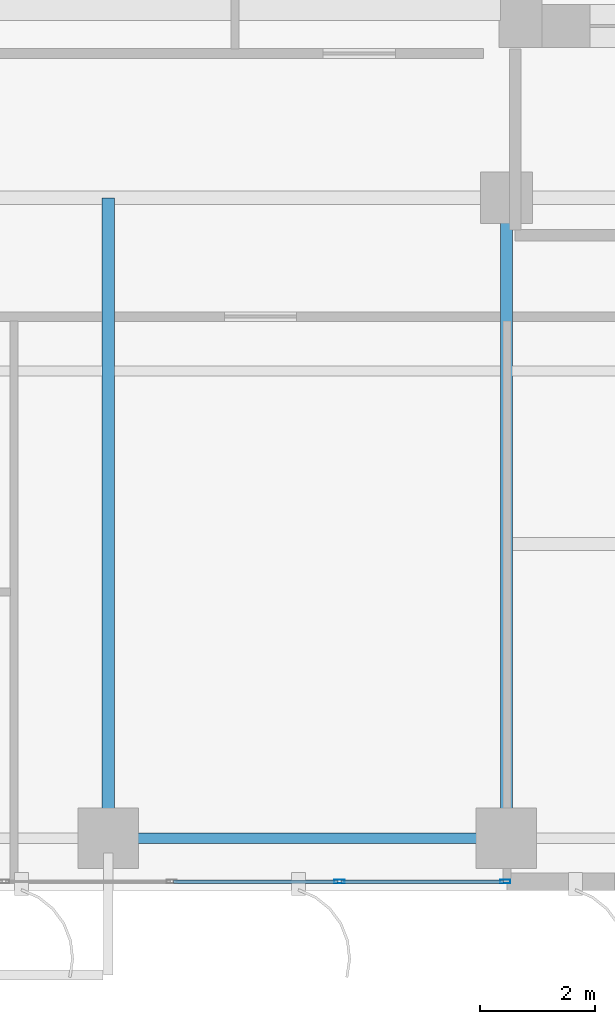
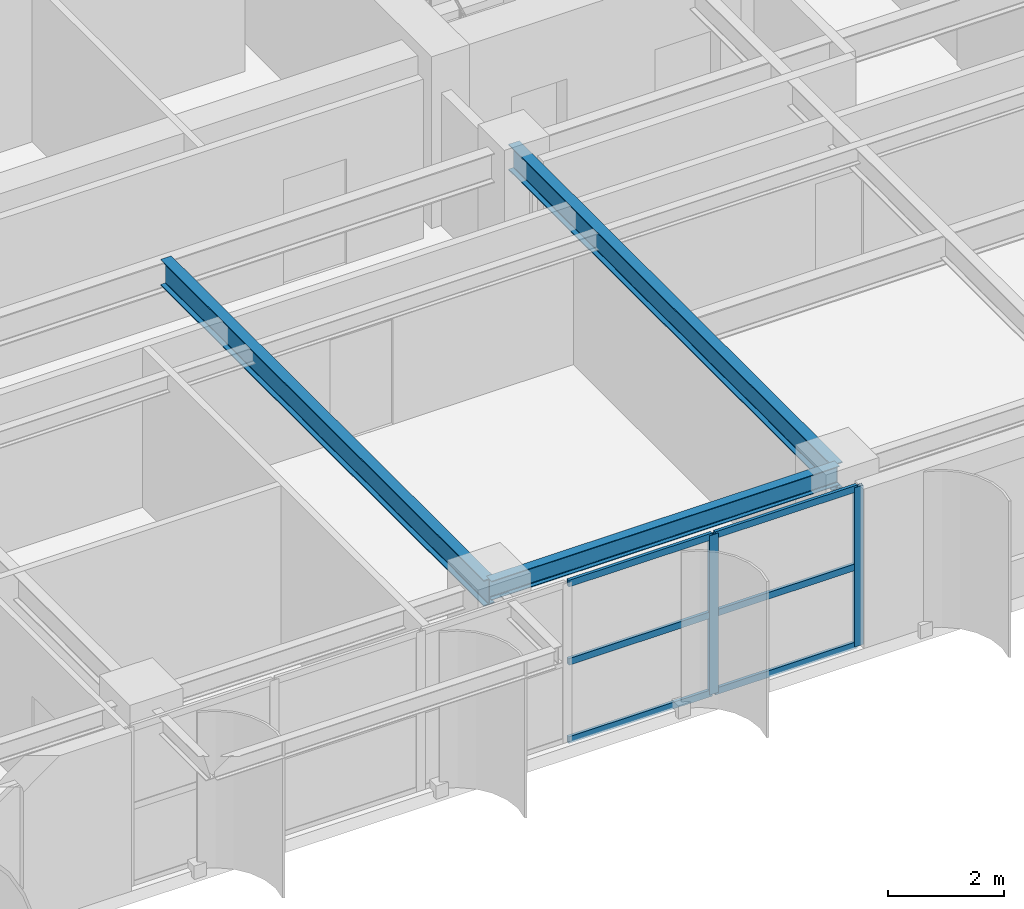
# One storey, part 3 of 23: 8 members, 3 beams, 1 element without a shape of its own.
"""IFC4 building model written with IfcOpenShell, lengths in metres."""

import ifcopenshell
import ifcopenshell.guid

model = None  # the IFC model being written
_history = None  # IfcOwnerHistory: only IFC2X3 demands one
_inside = {}  # id of a spatial element -> (the spatial element, [elements in it])
_under = {}  # id of a project, library or spatial element -> (it, [spatial elements below it])
_declared = {}  # id of a project -> (the project, [libraries it declares])
_typed = {}  # id of a type object -> (the type object, [elements of that type])
_made_of = {}  # id of a material, layer set ... -> (it, [elements and type objects made of it])


def new_model(schema):
    """Start an empty IFC model of exactly this schema.

    Asked for "IFC4X3", IfcOpenShell would pick the latest addendum, in which some entities
    have other attributes; the version numbers below select the first issue.
    IFC2X3 requires an IfcOwnerHistory on every rooted entity: one is made here for all.
    """
    global model, _history
    if schema == "IFC4X3":
        model = ifcopenshell.file(schema_version=(4, 3, 0, 0))
    else:
        model = ifcopenshell.file(schema=schema)
    _inside.clear()
    _under.clear()
    _declared.clear()
    _typed.clear()
    _made_of.clear()
    _history = None
    if model.schema == "IFC2X3":
        org = make("IfcOrganization", Name="unknown")
        user = make(
            "IfcPersonAndOrganization",
            ThePerson=make("IfcPerson", FamilyName="unknown"),
            TheOrganization=org,
        )
        app = make(
            "IfcApplication",
            ApplicationDeveloper=org,
            Version="unknown",
            ApplicationFullName="unknown",
            ApplicationIdentifier="unknown",
        )
        _history = make(
            "IfcOwnerHistory",
            OwningUser=user,
            OwningApplication=app,
            ChangeAction="ADDED",
            CreationDate=0,
        )
    return model


def make(cls, **values):
    """One entity of the class cls with the attributes given. An attribute that is None is left unset."""
    return model.create_entity(
        cls, **{name: value for name, value in values.items() if value is not None}
    )


def rooted(cls, **values):
    """An entity with a GlobalId (a new one), such as an element, a storey or a relation."""
    return make(cls, GlobalId=ifcopenshell.guid.new(), OwnerHistory=_history, **values)


def si_unit(unit_type, name, prefix=None):
    """IfcSIUnit, for example si_unit("LENGTHUNIT", "METRE", prefix="MILLI")."""
    return make("IfcSIUnit", UnitType=unit_type, Prefix=prefix, Name=name)


def assignment(units):
    """IfcUnitAssignment: the units of a project."""
    return None if units is None else make("IfcUnitAssignment", Units=units)


def point(xyz):
    """IfcCartesianPoint."""
    return None if xyz is None else make("IfcCartesianPoint", Coordinates=xyz)


def direction(xyz):
    """IfcDirection."""
    return None if xyz is None else make("IfcDirection", DirectionRatios=xyz)


def frame(location, z_axis=None, x_axis=None):
    """IfcAxis2Placement3D, a coordinate frame: its origin and axes. An axis left out is left unset."""
    return make(
        "IfcAxis2Placement3D",
        Location=point(location),
        Axis=direction(z_axis),
        RefDirection=direction(x_axis),
    )


def frame_2d(location, x_axis=None):
    """IfcAxis2Placement2D, a coordinate frame in the plane: its origin and x axis."""
    return make(
        "IfcAxis2Placement2D", Location=point(location), RefDirection=direction(x_axis)
    )


def origin():
    """The frame at (0, 0, 0) with its axes left unset."""
    return frame((0.0, 0.0, 0.0))


def origin_2d():
    """The frame at (0, 0) in the plane with its x axis left unset."""
    return frame_2d((0.0, 0.0))


def place(relative_to, where):
    """IfcLocalPlacement: puts the frame where relative to a parent placement (None: the world)."""
    return make(
        "IfcLocalPlacement", PlacementRelTo=relative_to, RelativePlacement=where
    )


def context(
    kind, dimensions, precision=None, world=None, true_north=None, identifier=None
):
    """IfcGeometricRepresentationContext, for example the 3D "Model" context."""
    return make(
        "IfcGeometricRepresentationContext",
        ContextIdentifier=identifier,
        ContextType=kind,
        CoordinateSpaceDimension=dimensions,
        Precision=precision,
        WorldCoordinateSystem=world,
        TrueNorth=true_north,
    )


def subcontext(parent, identifier, kind, view, scale=None):
    """IfcGeometricRepresentationSubContext, for example "Body" below "Model"."""
    return make(
        "IfcGeometricRepresentationSubContext",
        ContextIdentifier=identifier,
        ContextType=kind,
        ParentContext=parent,
        TargetScale=scale,
        TargetView=view,
    )


def project(units=None, contexts=None):
    """IfcProject with its units and contexts."""
    return rooted(
        "IfcProject",
        Name="project",
        RepresentationContexts=contexts,
        UnitsInContext=assignment(units),
    )


def spatial(cls, under=None, at=None, **own):
    """A site, building, storey or space (cls), placed at a placement, below another one or the project."""
    s = rooted(cls, ObjectPlacement=at, **own)
    if under is not None:
        _under.setdefault(under.id(), (under, []))[1].append(s)
    return s


def profile(cls, at=None, kind="AREA", **sizes):
    """A parametric profile (cls). Its sizes go by their IFC names, for example OverallWidth=200.0."""
    return make(cls, ProfileType=kind, Position=at, **sizes)


def hollow_rectangle(**sizes):
    """IfcRectangleHollowProfileDef."""
    return profile("IfcRectangleHollowProfileDef", **sizes)


def i_section(**sizes):
    """IfcIShapeProfileDef."""
    return profile("IfcIShapeProfileDef", **sizes)


def extrude(swept, where, along, depth):
    """IfcExtrudedAreaSolid: the profile swept, set in the frame where, extruded along a direction by depth."""
    return make(
        "IfcExtrudedAreaSolid",
        SweptArea=swept,
        Position=where,
        ExtrudedDirection=direction(along),
        Depth=depth,
    )


def shape(context_of_items, identifier, shape_type, items):
    """IfcShapeRepresentation: the items that make up one representation, for example the "Body"."""
    return make(
        "IfcShapeRepresentation",
        ContextOfItems=context_of_items,
        RepresentationIdentifier=identifier,
        RepresentationType=shape_type,
        Items=items,
    )


def source(mapping_origin, context_of_items, identifier, shape_type, items):
    """IfcRepresentationMap: a shape defined once, which mapped items show again and again."""
    return make(
        "IfcRepresentationMap",
        MappingOrigin=mapping_origin,
        MappedRepresentation=shape(context_of_items, identifier, shape_type, items),
    )


def transform(
    local_origin,
    x_axis=None,
    y_axis=None,
    z_axis=None,
    scale=None,
    scale2=None,
    scale3=None,
    uniform=True,
):
    """IfcCartesianTransformationOperator3D, or its non-uniform kind. x_axis, y_axis, z_axis: its Axis1, 2, 3."""
    if uniform:
        return make(
            "IfcCartesianTransformationOperator3D",
            Axis1=direction(x_axis),
            Axis2=direction(y_axis),
            LocalOrigin=point(local_origin),
            Scale=scale,
            Axis3=direction(z_axis),
        )
    return make(
        "IfcCartesianTransformationOperator3DnonUniform",
        Axis1=direction(x_axis),
        Axis2=direction(y_axis),
        LocalOrigin=point(local_origin),
        Scale=scale,
        Axis3=direction(z_axis),
        Scale2=scale2,
        Scale3=scale3,
    )


def mapped(mapping_source, mapping_target):
    """IfcMappedItem: shows the shape of a source again, moved by a transform."""
    return make(
        "IfcMappedItem", MappingSource=mapping_source, MappingTarget=mapping_target
    )


def material(Name=None, Category=None):
    """IfcMaterial."""
    return make("IfcMaterial", Name=Name, Category=Category)


def layer(
    of_material, thickness, ventilated=None, Name=None, Category=None, Priority=None
):
    """IfcMaterialLayer: one layer of a wall or slab, of a material (None: an air gap)."""
    return make(
        "IfcMaterialLayer",
        Material=of_material,
        LayerThickness=thickness,
        IsVentilated=ventilated,
        Name=Name,
        Category=Category,
        Priority=Priority,
    )


def layer_set(layers, Name=None):
    """IfcMaterialLayerSet."""
    return make("IfcMaterialLayerSet", MaterialLayers=layers, LayerSetName=Name)


def material_profile(
    of_material, cross_section, Name=None, Category=None, Priority=None
):
    """IfcMaterialProfile: a cross section and its material."""
    return make(
        "IfcMaterialProfile",
        Name=Name,
        Material=of_material,
        Profile=cross_section,
        Priority=Priority,
        Category=Category,
    )


def profile_set(profiles, Name=None, composite=None):
    """IfcMaterialProfileSet."""
    return make(
        "IfcMaterialProfileSet",
        Name=Name,
        MaterialProfiles=profiles,
        CompositeProfile=composite,
    )


def made_of(thing, what):
    """Note that an element or type object is made of a material, layer set ...; save() writes the relation."""
    if what is not None:
        _made_of.setdefault(what.id(), (what, []))[1].append(thing)
    return thing


def type_object(cls, material=None, **own):
    """A type object (cls), such as IfcWallType, which elements share."""
    return made_of(rooted(cls, **own), material)


def element(
    cls,
    number,
    at=None,
    inside=None,
    cuts=None,
    type_object=None,
    material=None,
    context=None,
    identifier="Body",
    shape_type=None,
    held_by="IfcProductDefinitionShape",
    body=None,
    shapes=None,
    **own,
):
    """One element of the class cls, such as IfcWall. Its Tag is "e" and its number.

    at: its placement. inside: the storey or other place that contains it. cuts: it is an
    opening in that element (IfcRelVoidsElement). A single representation is given by context,
    identifier, shape_type and body (its items); several are given by shapes. held_by: the class
    of the entity that holds the representations. save() writes the other relations.
    """
    e = rooted(cls, Tag="e%d" % number, ObjectPlacement=at, **own)
    if body is not None:
        shapes = [shape(context, identifier, shape_type, body)]
    if shapes is not None:
        e.Representation = make(held_by, Representations=shapes)
    if inside is not None:
        _inside.setdefault(inside.id(), (inside, []))[1].append(e)
    if cuts is not None:
        rooted(
            "IfcRelVoidsElement", RelatingBuildingElement=cuts, RelatedOpeningElement=e
        )
    if type_object is not None:
        _typed.setdefault(type_object.id(), (type_object, []))[1].append(e)
    return made_of(e, material)


def aggregate(whole, parts):
    """IfcRelAggregates: a whole, such as a stair, and the parts it consists of."""
    return rooted("IfcRelAggregates", RelatingObject=whole, RelatedObjects=parts)


def save(model, path):
    """Write the relations noted so far, then the file.

    IfcRelAggregates (storeys below a building ...), IfcRelContainedInSpatialStructure (elements
    in a storey), IfcRelDefinesByType, IfcRelAssociatesMaterial and IfcRelDeclares: one each for
    every whole, place, type object, material and project.
    """
    for whole, parts in _under.values():
        aggregate(whole, parts)
    for where, things in _inside.values():
        rooted(
            "IfcRelContainedInSpatialStructure",
            RelatedElements=things,
            RelatingStructure=where,
        )
    for kind, things in _typed.values():
        rooted("IfcRelDefinesByType", RelatedObjects=things, RelatingType=kind)
    for what, things in _made_of.values():
        rooted("IfcRelAssociatesMaterial", RelatedObjects=things, RelatingMaterial=what)
    for by, libraries in _declared.values():
        rooted("IfcRelDeclares", RelatingContext=by, RelatedDefinitions=libraries)
    model.write(path)


model = new_model("IFC4")

# Units and contexts
model_context = context("Model", 3, precision=1e-05, world=origin(), true_north=direction((0.0, 1.0)))
body_context = subcontext(model_context, "Body", "Model", "MODEL_VIEW")
ifc_project = project(units=[si_unit("LENGTHUNIT", "METRE"), si_unit("AREAUNIT", "SQUARE_METRE"), si_unit("VOLUMEUNIT", "CUBIC_METRE"), si_unit("PLANEANGLEUNIT", "RADIAN"), si_unit("MASSUNIT", "GRAM", prefix="KILO")], contexts=[model_context])

# Site, building, storey
site_placement = place(None, origin())
site = spatial("IfcSite", under=ifc_project, at=site_placement, CompositionType="ELEMENT")
building_placement = place(site_placement, origin())
building = spatial("IfcBuilding", under=site, at=building_placement, Name="Khoralis Quay Care Tower", CompositionType="ELEMENT")
storey_placement = place(building_placement, frame((0.0, 0.0, 119.699951171875)))
storey = spatial("IfcBuildingStorey", under=building, at=storey_placement, Name="L31", CompositionType="ELEMENT", Elevation=119.699951171875)

# Beams
ifc_material_1 = material(Name="Steel S355", Category="steel")
ifc_material_profile_1 = material_profile(ifc_material_1, i_section(OverallWidth=0.179931640625, OverallDepth=0.39990234375, WebThickness=0.008544921875, FlangeThickness=0.013427734375, FilletRadius=0.02099609375, at=origin_2d()), Name="Steel S355")
ifc_profile_set_1 = profile_set([ifc_material_profile_1], Name="Steel S355")
beam_type_1 = type_object("IfcBeamType", Name="BM-IPE400", PredefinedType="SPANDREL", material=ifc_profile_set_1)
shared_shape_1 = source(origin(), body_context, "Body", "SweptSolid", [
    extrude(i_section(OverallWidth=0.179931640625, OverallDepth=0.39990234375, WebThickness=0.008544921875, FlangeThickness=0.013427734375, FilletRadius=0.02099609375, at=origin_2d()), origin(), (0.0, 0.0, 1.0), 6.89990234375),
])
beam_placement = place(storey_placement, frame((24.0, 0.89990234375, 3.14013671875), z_axis=(1.0, 0.0, 0.0), x_axis=(0.0, 1.0, 0.0)))
element("IfcBeam", 1, at=beam_placement, inside=storey, type_object=beam_type_1, Name="BM-TSP-L31-04", PredefinedType="SPANDREL", context=body_context, shape_type="MappedRepresentation", body=[
    mapped(shared_shape_1, transform((0.0, 0.0, 0.0), scale=1.0)),
])
ifc_material_profile_2 = material_profile(ifc_material_1, i_section(OverallWidth=0.2119140625, OverallDepth=0.5439453125, WebThickness=0.01318359375, FlangeThickness=0.021240234375, FilletRadius=0.01611328125, at=origin_2d()), Name="Steel S355")
ifc_profile_set_2 = profile_set([ifc_material_profile_2], Name="Steel S355")
beam_type_2 = type_object("IfcBeamType", Name="BM-W530X123", PredefinedType="BEAM", material=ifc_profile_set_2)
shared_shape_2 = source(origin(), body_context, "Body", "SweptSolid", [
    extrude(i_section(OverallWidth=0.2119140625, OverallDepth=0.5439453125, WebThickness=0.01318359375, FlangeThickness=0.021240234375, FilletRadius=0.01611328125, at=origin_2d()), origin(), (0.0, 0.0, 1.0), 11.10009765625),
])
for number, where, z_axis, x_axis, name in (
    (2, (24.0, 0.89990234375, 3.068115234375), (0.0, 1.0, 0.0), (-1.0, 0.0, 0.0), "BM-TGYS-L31-240"),
    (3, (30.89990234375, 0.89990234375, 3.068115234375), (0.0, 1.0, 0.0), (-1.0, 0.0, 0.0), "BM-TGYS-L31-309"),
):
    element("IfcBeam", number, at=place(storey_placement, frame(where, z_axis=z_axis, x_axis=x_axis)), inside=storey, type_object=beam_type_2, Name=name, PredefinedType="BEAM", context=body_context, shape_type="MappedRepresentation", body=[
        mapped(shared_shape_2, transform((0.0, 0.0, 0.0), scale=1.0)),
    ])

# Curtain wall, members
ifc_material_2 = material(Name="Pale anodised aluminium", Category="aluminium")
ifc_layer = layer(ifc_material_2, 0.169921875)
ifc_layer_set = layer_set([ifc_layer], Name="Pale anodised aluminium")
curtain_wall_type = type_object("IfcCurtainWallType", Name="CW-SYS-Z2", PredefinedType="NOTDEFINED", material=ifc_layer_set)
curtain_wall_placement = place(storey_placement, origin())
curtain_wall = element("IfcCurtainWall", 4, at=curtain_wall_placement, inside=storey, type_object=curtain_wall_type, Name="L31 Unitised Curtain Wall CW-L31-P1-E0", PredefinedType="NOTDEFINED")
ifc_material_profile_3 = material_profile(ifc_material_2, hollow_rectangle(XDim=0.06494140625, YDim=0.179931640625, WallThickness=0.00390625, at=origin_2d()), Name="Pale anodised aluminium")
ifc_profile_set_3 = profile_set([ifc_material_profile_3], Name="Pale anodised aluminium")
member_type_1 = type_object("IfcMemberType", Name="CW-MUL-180", PredefinedType="MULLION", material=ifc_profile_set_3)
shared_shape_3 = source(origin(), body_context, "Body", "SweptSolid", [
    extrude(hollow_rectangle(XDim=0.06494140625, YDim=0.179931640625, WallThickness=0.00390625, at=origin_2d()), origin(), (0.0, 0.0, 1.0), 3.340087890625),
])
member_1_placement = place(storey_placement, frame((28.005859375, 0.14990234375, 0.0), z_axis=(0.0, 0.0, 1.0), x_axis=(0.0, 1.0, 0.0)))
member_1 = element("IfcMember", 5, at=member_1_placement, type_object=member_type_1, Name="CW2 mullion 5", PredefinedType="MULLION", context=body_context, shape_type="MappedRepresentation", body=[
    mapped(shared_shape_3, transform((0.0, 0.0, 0.0), scale=1.0)),
])
member_2_placement = place(storey_placement, frame((30.8798828125, 0.14990234375, 0.0), z_axis=(0.0, 0.0, 1.0), x_axis=(0.0, 1.0, 0.0)))
member_2 = element("IfcMember", 6, at=member_2_placement, type_object=member_type_1, Name="CW2 mullion 6", PredefinedType="MULLION", context=body_context, shape_type="MappedRepresentation", body=[
    mapped(shared_shape_3, transform((0.0, 0.0, 0.0), scale=1.0)),
])
ifc_material_profile_4 = material_profile(ifc_material_2, hollow_rectangle(XDim=0.06005859375, YDim=0.139892578125, WallThickness=0.00390625, at=origin_2d()), Name="Pale anodised aluminium")
ifc_profile_set_4 = profile_set([ifc_material_profile_4], Name="Pale anodised aluminium")
member_type_2 = type_object("IfcMemberType", Name="CW-TRN-140", PredefinedType="USERDEFINED", material=ifc_profile_set_4)
shared_shape_4 = source(origin(), body_context, "Body", "SweptSolid", [
    extrude(hollow_rectangle(XDim=0.06005859375, YDim=0.139892578125, WallThickness=0.00390625, at=origin_2d()), origin(), (0.0, 0.0, 1.0), 2.814208984375),
])
member_3_placement = place(storey_placement, frame((28.035888671875, 0.14990234375, 0.030029296875), z_axis=(1.0, 0.0, 0.0), x_axis=(0.0, 1.0, 0.0)))
member_3 = element("IfcMember", 7, at=member_3_placement, type_object=member_type_2, Name="CW2 transom 5.1", ObjectType="TRANSOM", PredefinedType="USERDEFINED", context=body_context, shape_type="MappedRepresentation", body=[
    mapped(shared_shape_4, transform((0.0, 0.0, 0.0), scale=1.0)),
])
member_4_placement = place(storey_placement, frame((28.035888671875, 0.14990234375, 1.670166015625), z_axis=(1.0, 0.0, 0.0), x_axis=(0.0, 1.0, 0.0)))
member_4 = element("IfcMember", 8, at=member_4_placement, type_object=member_type_2, Name="CW2 transom 5.2", ObjectType="TRANSOM", PredefinedType="USERDEFINED", context=body_context, shape_type="MappedRepresentation", body=[
    mapped(shared_shape_4, transform((0.0, 0.0, 0.0), scale=1.0)),
])
member_5_placement = place(storey_placement, frame((28.035888671875, 0.14990234375, 3.31005859375), z_axis=(1.0, 0.0, 0.0), x_axis=(0.0, 1.0, 0.0)))
member_5 = element("IfcMember", 9, at=member_5_placement, type_object=member_type_2, Name="CW2 transom 5.3", ObjectType="TRANSOM", PredefinedType="USERDEFINED", context=body_context, shape_type="MappedRepresentation", body=[
    mapped(shared_shape_4, transform((0.0, 0.0, 0.0), scale=1.0)),
])
shared_shape_5 = source(origin(), body_context, "Body", "SweptSolid", [
    extrude(hollow_rectangle(XDim=0.06005859375, YDim=0.139892578125, WallThickness=0.00390625, at=origin_2d()), origin(), (0.0, 0.0, 1.0), 2.84423828125),
])
member_6_placement = place(storey_placement, frame((25.131591796875, 0.14990234375, 0.030029296875), z_axis=(1.0, 0.0, 0.0), x_axis=(0.0, 1.0, 0.0)))
member_6 = element("IfcMember", 10, at=member_6_placement, type_object=member_type_2, Name="CW2 transom 4.1", ObjectType="TRANSOM", PredefinedType="USERDEFINED", context=body_context, shape_type="MappedRepresentation", body=[
    mapped(shared_shape_5, transform((0.0, 0.0, 0.0), scale=1.0)),
])
member_7_placement = place(storey_placement, frame((25.131591796875, 0.14990234375, 1.670166015625), z_axis=(1.0, 0.0, 0.0), x_axis=(0.0, 1.0, 0.0)))
member_7 = element("IfcMember", 11, at=member_7_placement, type_object=member_type_2, Name="CW2 transom 4.2", ObjectType="TRANSOM", PredefinedType="USERDEFINED", context=body_context, shape_type="MappedRepresentation", body=[
    mapped(shared_shape_5, transform((0.0, 0.0, 0.0), scale=1.0)),
])
member_8_placement = place(storey_placement, frame((25.131591796875, 0.14990234375, 3.31005859375), z_axis=(1.0, 0.0, 0.0), x_axis=(0.0, 1.0, 0.0)))
member_8 = element("IfcMember", 12, at=member_8_placement, type_object=member_type_2, Name="CW2 transom 4.3", ObjectType="TRANSOM", PredefinedType="USERDEFINED", context=body_context, shape_type="MappedRepresentation", body=[
    mapped(shared_shape_5, transform((0.0, 0.0, 0.0), scale=1.0)),
])
aggregate(curtain_wall, [member_1, member_2, member_6, member_7, member_8, member_3, member_4, member_5])

save(model, "model.ifc")
